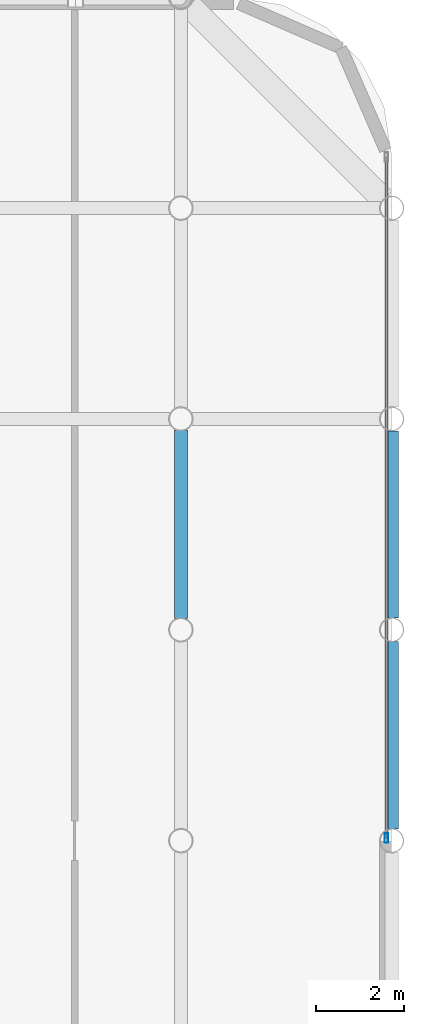
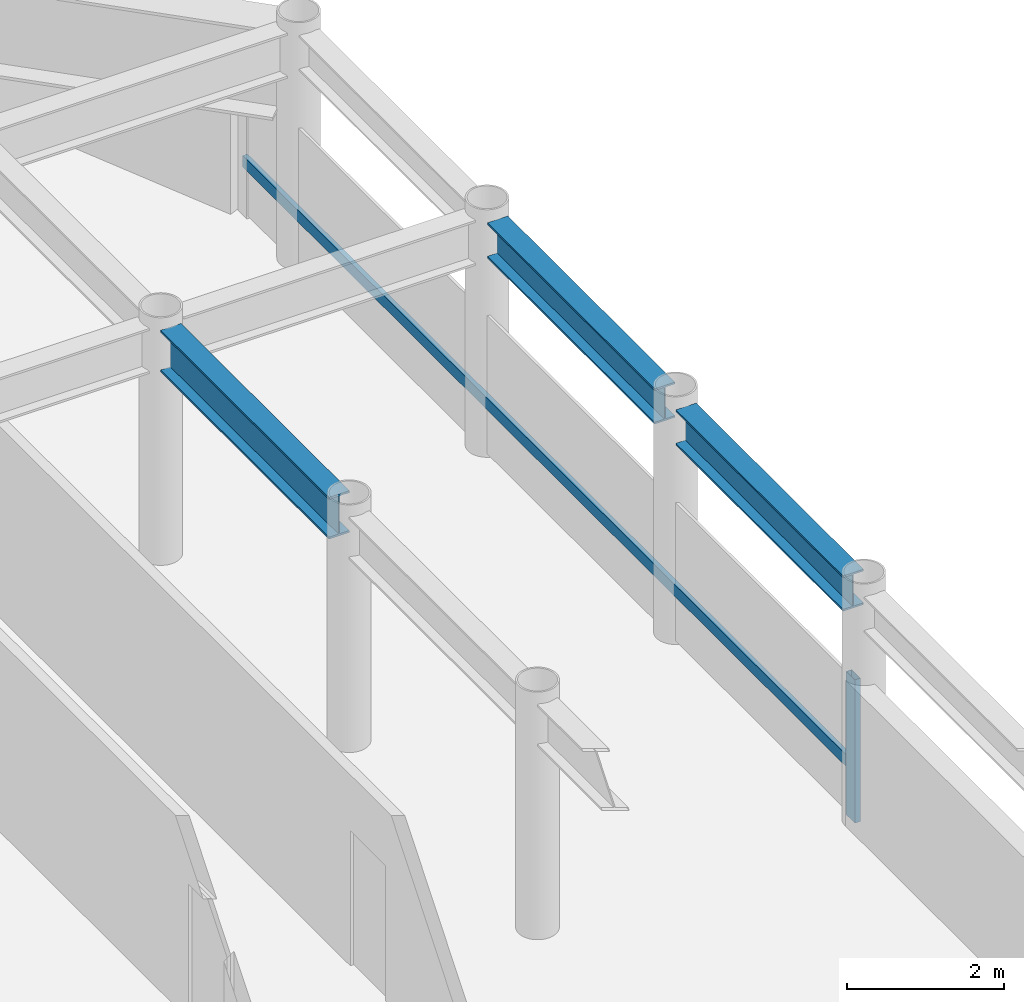
# One storey, part 10 of 21: 3 beams, 2 members, 1 element without a shape of its own.
"""IFC4 building model written with IfcOpenShell, lengths in metres."""

from ifc_helpers import new_model, si_unit, direction, frame, origin, origin_2d, place, context, subcontext, project, spatial, hollow_rectangle, i_section, extrude, material, layer, layer_set, material_profile, profile_set, type_object, element, aggregate, save


model = new_model("IFC4")

# Units and contexts
model_context = context("Model", 3, precision=1e-05, world=origin(), true_north=direction((0.0, 1.0)))
body_context = subcontext(model_context, "Body", "Model", "MODEL_VIEW")
ifc_project = project(units=[si_unit("LENGTHUNIT", "METRE"), si_unit("AREAUNIT", "SQUARE_METRE"), si_unit("VOLUMEUNIT", "CUBIC_METRE"), si_unit("PLANEANGLEUNIT", "RADIAN"), si_unit("MASSUNIT", "GRAM", prefix="KILO")], contexts=[model_context])

# Site, building, storey
site_placement = place(None, origin())
site = spatial("IfcSite", under=ifc_project, at=site_placement, CompositionType="ELEMENT")
building_placement = place(site_placement, origin())
building = spatial("IfcBuilding", under=site, at=building_placement, Name="Kallvorn Hotel Tower", CompositionType="ELEMENT")
storey_placement = place(building_placement, frame((0.0, 0.0, 210.75)))
storey = spatial("IfcBuildingStorey", under=building, at=storey_placement, Name="L52", CompositionType="ELEMENT", Elevation=210.75)

# Beams
ifc_material_1 = material(Name="Structural steel S355JR", Category="steel")
ifc_material_profile_1 = material_profile(ifc_material_1, i_section(OverallWidth=0.300048828125, OverallDepth=0.550048828125, WebThickness=0.014892578125, FlangeThickness=0.029052734375, at=origin_2d()), Name="HE 550 B")
ifc_profile_set_1 = profile_set([ifc_material_profile_1], Name="Structural steel S355JR")
beam_type_1 = type_object("IfcBeamType", Name="BM_HE550B", PredefinedType="SPANDREL", material=ifc_profile_set_1)
for number, where, z_axis, x_axis, name in (
    (1, (33.60009765625, 0.26953125, 3.39501953125), (0.0, 1.0, 0.0), (-1.0, 0.0, 0.0), "L53 Perimeter Spandrel 186"),
    (2, (33.60009765625, 5.069580078125, 3.39501953125), (0.0, 1.0, 0.0), (-1.0, 0.0, 0.0), "L53 Perimeter Spandrel 187"),
):
    element("IfcBeam", number, at=place(storey_placement, frame(where, z_axis=z_axis, x_axis=x_axis)), inside=storey, type_object=beam_type_1, Name=name, PredefinedType="SPANDREL", context=body_context, shape_type="SweptSolid", body=[
        extrude(i_section(OverallWidth=0.300048828125, OverallDepth=0.550048828125, WebThickness=0.014892578125, FlangeThickness=0.029052734375, at=origin_2d()), origin(), (0.0, 0.0, 1.0), 4.260986328125),
    ])
ifc_material_2 = material(Name="Structural steel S355JR", Category="steel")
ifc_material_profile_2 = material_profile(ifc_material_2, i_section(OverallWidth=0.300048828125, OverallDepth=0.64990234375, WebThickness=0.01611328125, FlangeThickness=0.031005859375, at=origin_2d()), Name="HE 650 B")
ifc_profile_set_2 = profile_set([ifc_material_profile_2], Name="Structural steel S355JR")
beam_type_2 = type_object("IfcBeamType", Name="BM_HE650B", PredefinedType="BEAM", material=ifc_profile_set_2)
beam_placement = place(storey_placement, frame((28.800048828125, 5.054443359375, 3.344970703125), z_axis=(0.0, 1.0, 0.0), x_axis=(-1.0, 0.0, 0.0)))
element("IfcBeam", 3, at=beam_placement, inside=storey, type_object=beam_type_2, Name="L53 Primary Y-Girder 148", PredefinedType="BEAM", context=body_context, shape_type="SweptSolid", body=[
    extrude(i_section(OverallWidth=0.300048828125, OverallDepth=0.64990234375, WebThickness=0.01611328125, FlangeThickness=0.031005859375, at=origin_2d()), origin(), (0.0, 0.0, 1.0), 4.291015625),
])

# Curtain wall, members
ifc_material_3 = material(Name="Thermally broken black-anodised aluminium AA 6063-T6", Category="aluminium")
ifc_layer = layer(ifc_material_3, 0.22998046875)
ifc_layer_set = layer_set([ifc_layer], Name="CW_SYS_5_HOTEL_HIGH")
curtain_wall_type = type_object("IfcCurtainWallType", Name="CW_SYS_5_HOTEL_HIGH", PredefinedType="USERDEFINED", material=ifc_layer_set)
curtain_wall_placement = place(storey_placement, origin())
curtain_wall = element("IfcCurtainWall", 4, at=curtain_wall_placement, inside=storey, type_object=curtain_wall_type, Name="L52 Dark-Glass Curtain Wall CW-L52-EN", ObjectType="UNITISED CURTAIN WALL", PredefinedType="USERDEFINED")
ifc_material_4 = material(Name="Thermally broken black-anodised aluminium AA 6063-T6", Category="aluminium")
ifc_material_profile_3 = material_profile(ifc_material_4, hollow_rectangle(XDim=0.080078125, YDim=0.219970703125, WallThickness=0.0048828125, at=origin_2d()), Name="MUL 220x80")
ifc_profile_set_3 = profile_set([ifc_material_profile_3], Name="Thermally broken black-anodised aluminium AA 6063-T6")
member_type_1 = type_object("IfcMemberType", Name="CW_MULLION_220x80", PredefinedType="MULLION", material=ifc_profile_set_3)
member_1_placement = place(storey_placement, frame((33.47998046875, 0.06005859375, 0.02001953125), z_axis=(0.0, 0.0, 1.0), x_axis=(1.0, 0.0, 0.0)))
member_1 = element("IfcMember", 5, at=member_1_placement, type_object=member_type_1, Name="CW-L52-EN Mullion 00", PredefinedType="MULLION", context=body_context, shape_type="SweptSolid", body=[
    extrude(hollow_rectangle(XDim=0.080078125, YDim=0.219970703125, WallThickness=0.0048828125, at=origin_2d()), origin(), (0.0, 0.0, 1.0), 2.22998046875),
])
ifc_material_5 = material(Name="Thermally broken black-anodised aluminium AA 6063-T6", Category="aluminium")
ifc_material_profile_4 = material_profile(ifc_material_5, hollow_rectangle(XDim=0.070068359375, YDim=0.179931640625, WallThickness=0.00390625, at=origin_2d()), Name="TRN 180x70")
ifc_profile_set_4 = profile_set([ifc_material_profile_4], Name="Thermally broken black-anodised aluminium AA 6063-T6")
member_type_2 = type_object("IfcMemberType", Name="CW_TRANSOM_180x70", PredefinedType="USERDEFINED", material=ifc_profile_set_4)
member_2_placement = place(storey_placement, frame((33.47998046875, 0.06005859375, 0.85009765625), z_axis=(0.0, 1.0, 0.0), x_axis=(-1.0, 0.0, 0.0)))
member_2 = element("IfcMember", 6, at=member_2_placement, type_object=member_type_2, Name="CW-L52-EN Transom 00M", ObjectType="TRANSOM", PredefinedType="USERDEFINED", context=body_context, shape_type="SweptSolid", body=[
    extrude(hollow_rectangle(XDim=0.070068359375, YDim=0.179931640625, WallThickness=0.00390625, at=origin_2d()), origin(), (0.0, 0.0, 1.0), 15.5),
])
aggregate(curtain_wall, [member_1, member_2])

save(model, "model.ifc")
